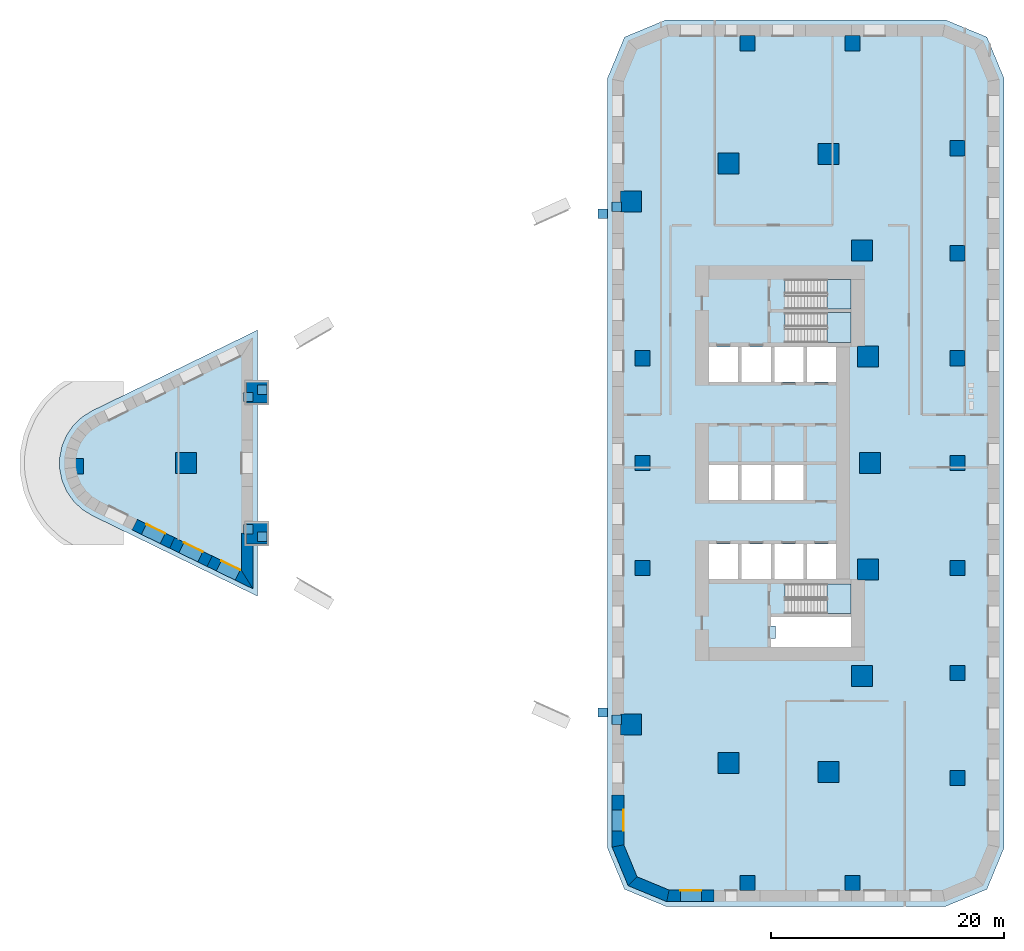
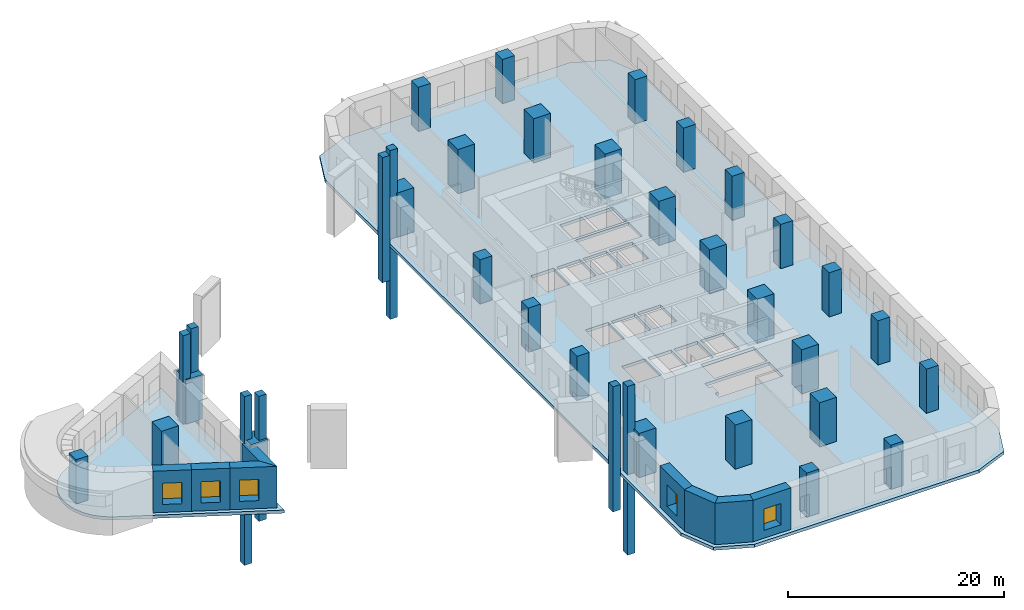
# One storey, part 1 of 11: 29 columns, 8 members, 8 walls, 5 slabs, 5 windows, 6 openings, 3 elements without a shape of their own.
"""IFC4 building model written with IfcOpenShell, lengths in metres."""

from ifc_helpers import new_model, si_unit, direction, frame, frame_2d, origin, origin_2d, place, context, subcontext, project, spatial, polyline, rectangle, outline, extrude, material, layer, layer_set, material_profile, profile_set, type_object, element, fill, aggregate, save


model = new_model("IFC4")

# Units and contexts
model_context = context("Model", 3, precision=1e-05, world=origin(), true_north=direction((0.0, 1.0)))
body_context = subcontext(model_context, "Body", "Model", "MODEL_VIEW")
ifc_project = project(units=[si_unit("LENGTHUNIT", "METRE"), si_unit("AREAUNIT", "SQUARE_METRE"), si_unit("VOLUMEUNIT", "CUBIC_METRE"), si_unit("PLANEANGLEUNIT", "RADIAN"), si_unit("MASSUNIT", "GRAM", prefix="KILO")], contexts=[model_context])

# Site, building, storey
site_placement = place(None, origin())
site = spatial("IfcSite", under=ifc_project, at=site_placement, CompositionType="ELEMENT")
building_placement = place(site_placement, origin())
building = spatial("IfcBuilding", under=site, at=building_placement, Name="Ostrand Prow Hotel Tower", CompositionType="ELEMENT")
storey_placement = place(building_placement, frame((0.0, 0.0, 19.0)))
storey = spatial("IfcBuildingStorey", under=building, at=storey_placement, Name="L03", CompositionType="ELEMENT", Elevation=19.0)

# Columns
ifc_material_1 = material(Name="Concrete C60/75", Category="concrete")
ifc_material_profile_1 = material_profile(ifc_material_1, rectangle(XDim=1.300048828125, YDim=1.300048828125, at=origin_2d()), Name="RC 1300x1300")
ifc_profile_set_1 = profile_set([ifc_material_profile_1], Name="Concrete C60/75")
column_type_1 = type_object("IfcColumnType", Name="Interior column 1300x1300 C60/75", PredefinedType="COLUMN", material=ifc_profile_set_1)
for number, where, z_axis, x_axis, name in (
    (1, (-3.573974609375, -0.262939453125, 0.0), (0.0, 0.0, 1.0), (1.0, 0.0, 0.0), "Interior column W4S0"),
    (2, (45.0, -9.0, 0.0), (0.0, 0.0, 1.0), (1.0, 0.0, 0.0), "Interior column 45S9"),
    (3, (45.0, 0.0, 0.0), (0.0, 0.0, 1.0), (1.0, 0.0, 0.0), "Interior column 45C0"),
    (4, (45.0, 9.0, 0.0), (0.0, 0.0, 1.0), (1.0, 0.0, 0.0), "Interior column 45N9"),
    (5, (54.0, -36.0, 0.0), (0.0, 0.0, 1.0), (1.0, 0.0, 0.0), "Interior column 54S36"),
    (6, (54.0, 36.0, 0.0), (0.0, 0.0, 1.0), (1.0, 0.0, 0.0), "Interior column 54N36"),
    (7, (63.0, -36.0, 0.0), (0.0, 0.0, 1.0), (1.0, 0.0, 0.0), "Interior column 63S36"),
    (8, (63.0, 36.0, 0.0), (0.0, 0.0, 1.0), (1.0, 0.0, 0.0), "Interior column 63N36"),
    (9, (72.0, -27.0, 0.0), (0.0, 0.0, 1.0), (1.0, 0.0, 0.0), "Interior column 72S27"),
    (10, (72.0, -18.0, 0.0), (0.0, 0.0, 1.0), (1.0, 0.0, 0.0), "Interior column 72S18"),
    (11, (72.0, -9.0, 0.0), (0.0, 0.0, 1.0), (1.0, 0.0, 0.0), "Interior column 72S9"),
    (12, (72.0, 0.0, 0.0), (0.0, 0.0, 1.0), (1.0, 0.0, 0.0), "Interior column 72C0"),
    (13, (72.0, 9.0, 0.0), (0.0, 0.0, 1.0), (1.0, 0.0, 0.0), "Interior column 72N9"),
    (14, (72.0, 18.0, 0.0), (0.0, 0.0, 1.0), (1.0, 0.0, 0.0), "Interior column 72N18"),
    (15, (72.0, 27.0, 0.0), (0.0, 0.0, 1.0), (1.0, 0.0, 0.0), "Interior column 72N27"),
):
    element("IfcColumn", number, at=place(storey_placement, frame(where, z_axis=z_axis, x_axis=x_axis)), inside=storey, type_object=column_type_1, Name=name, PredefinedType="COLUMN", context=body_context, shape_type="SweptSolid", body=[
        extrude(rectangle(XDim=1.300048828125, YDim=1.300048828125, at=origin_2d()), origin(), (0.0, 0.0, 1.0), 5.0),
    ])
ifc_material_2 = material(Name="Concrete C60/75", Category="concrete")
ifc_material_profile_2 = material_profile(ifc_material_2, rectangle(XDim=1.800048828125, YDim=1.800048828125, at=origin_2d()), Name="RC 1800x1800")
ifc_profile_set_2 = profile_set([ifc_material_profile_2], Name="Concrete C60/75")
column_type_2 = type_object("IfcColumnType", Name="Stone-faced mega column 1800x1800 C60/75", PredefinedType="COLUMN", material=ifc_profile_set_2)
for number, where, z_axis, x_axis, name in (
    (16, (5.848388671875, 0.0, 0.0), (0.0, 0.0, 1.0), (1.0, 0.0, 0.0), "Mega column P"),
    (17, (11.926513671875, -6.0419921875, 0.0), (0.0, 0.0, 1.0), (1.0, 0.0, 0.0), "Mega column S1"),
    (18, (43.997802734375, -22.427978515625, 0.0), (0.0, 0.0, 1.0), (1.0, 0.0, 0.0), "Mega column S5"),
    (19, (52.3916015625, -25.710205078125, 0.0), (0.0, 0.0, 1.0), (1.0, 0.0, 0.0), "Mega column S6"),
    (20, (60.966064453125, -26.49853515625, 0.0), (0.0, 0.0, 1.0), (1.0, 0.0, 0.0), "Mega column SE"),
    (21, (63.8134765625, -18.248779296875, 0.0), (0.0, 0.0, 1.0), (1.0, 0.0, 0.0), "Mega column B1"),
    (22, (64.328369140625, -9.130859375, 0.0), (0.0, 0.0, 1.0), (1.0, 0.0, 0.0), "Mega column B2"),
    (23, (64.5, 0.0, 0.0), (0.0, 0.0, 1.0), (1.0, 0.0, 0.0), "Mega column B3"),
    (24, (64.328369140625, 9.130859375, 0.0), (0.0, 0.0, 1.0), (1.0, 0.0, 0.0), "Mega column B4"),
    (25, (63.8134765625, 18.248779296875, 0.0), (0.0, 0.0, 1.0), (1.0, 0.0, 0.0), "Mega column B5"),
    (26, (60.966064453125, 26.49853515625, 0.0), (0.0, 0.0, 1.0), (1.0, 0.0, 0.0), "Mega column NE"),
    (27, (52.3916015625, 25.710205078125, 0.0), (0.0, 0.0, 1.0), (1.0, 0.0, 0.0), "Mega column N1"),
    (28, (43.997802734375, 22.427978515625, 0.0), (0.0, 0.0, 1.0), (1.0, 0.0, 0.0), "Mega column N2"),
    (29, (11.926513671875, 6.0419921875, 0.0), (0.0, 0.0, 1.0), (1.0, 0.0, 0.0), "Mega column N6"),
):
    element("IfcColumn", number, at=place(storey_placement, frame(where, z_axis=z_axis, x_axis=x_axis)), inside=storey, type_object=column_type_2, Name=name, PredefinedType="COLUMN", context=body_context, shape_type="SweptSolid", body=[
        extrude(rectangle(XDim=1.800048828125, YDim=1.800048828125, at=origin_2d()), origin(), (0.0, 0.0, 1.0), 5.0),
    ])

# Members
ifc_material_3 = material(Name="Concrete C80/95", Category="concrete")
ifc_material_profile_3 = material_profile(ifc_material_3, rectangle(XDim=0.800048828125, YDim=0.800048828125, at=origin_2d()), Name="RC 800x800")
ifc_profile_set_3 = profile_set([ifc_material_profile_3], Name="Concrete C80/95")
member_type = type_object("IfcMemberType", Name="Rib strut 800x800 C80/95", PredefinedType="POST", material=ifc_profile_set_3)
member_1_placement = place(storey_placement, frame((11.206298828125, -5.67724609375, -9.10400390625), z_axis=(0.0, 0.0, 1.0), x_axis=(1.0, 0.0, 0.0)))
element("IfcMember", 30, at=member_1_placement, inside=storey, type_object=member_type, Name="Rib strut S02", PredefinedType="POST", context=body_context, shape_type="SweptSolid", body=[
    extrude(rectangle(XDim=0.800048828125, YDim=0.800048828125, at=origin_2d()), origin(), (0.0, 0.0, 1.0), 19.10400390625),
])
for number, where, z_axis, x_axis, name in (
    (31, (12.404296875, -6.29638671875, -4.168701171875), (0.0, 0.0, 1.0), (1.0, 0.0, 0.0), "Rib strut S03"),
    (32, (41.595703125, -21.380615234375, -4.168701171875), (0.0, 0.0, 1.0), (1.0, 0.0, 0.0), "Rib strut S13"),
):
    element("IfcMember", number, at=place(storey_placement, frame(where, z_axis=z_axis, x_axis=x_axis)), inside=storey, type_object=member_type, Name=name, PredefinedType="POST", context=body_context, shape_type="SweptSolid", body=[
        extrude(rectangle(XDim=0.800048828125, YDim=0.800048828125, at=origin_2d()), origin(), (0.0, 0.0, 1.0), 14.168701171875),
    ])
for number, where, z_axis, x_axis, name in (
    (33, (42.793701171875, -21.99951171875, -9.10400390625), (0.0, 0.0, 1.0), (1.0, 0.0, 0.0), "Rib strut S14"),
    (34, (11.206298828125, 5.67724609375, -9.10400390625), (0.0, 0.0, 1.0), (1.0, 0.0, 0.0), "Rib strut N02"),
):
    element("IfcMember", number, at=place(storey_placement, frame(where, z_axis=z_axis, x_axis=x_axis)), inside=storey, type_object=member_type, Name=name, PredefinedType="POST", context=body_context, shape_type="SweptSolid", body=[
        extrude(rectangle(XDim=0.800048828125, YDim=0.800048828125, at=origin_2d()), origin(), (0.0, 0.0, 1.0), 19.10400390625),
    ])
for number, where, z_axis, x_axis, name in (
    (35, (12.404296875, 6.29638671875, -4.168701171875), (0.0, 0.0, 1.0), (1.0, 0.0, 0.0), "Rib strut N03"),
    (36, (41.595703125, 21.380615234375, -4.168701171875), (0.0, 0.0, 1.0), (1.0, 0.0, 0.0), "Rib strut N13"),
):
    element("IfcMember", number, at=place(storey_placement, frame(where, z_axis=z_axis, x_axis=x_axis)), inside=storey, type_object=member_type, Name=name, PredefinedType="POST", context=body_context, shape_type="SweptSolid", body=[
        extrude(rectangle(XDim=0.800048828125, YDim=0.800048828125, at=origin_2d()), origin(), (0.0, 0.0, 1.0), 14.168701171875),
    ])
member_2_placement = place(storey_placement, frame((42.793701171875, 21.99951171875, -9.10400390625), z_axis=(0.0, 0.0, 1.0), x_axis=(1.0, 0.0, 0.0)))
element("IfcMember", 37, at=member_2_placement, inside=storey, type_object=member_type, Name="Rib strut N14", PredefinedType="POST", context=body_context, shape_type="SweptSolid", body=[
    extrude(rectangle(XDim=0.800048828125, YDim=0.800048828125, at=origin_2d()), origin(), (0.0, 0.0, 1.0), 19.10400390625),
])

# Slab
ifc_material_4 = material(Name="Concrete C40/50", Category="concrete")
ifc_layer_1 = layer(ifc_material_4, 0.35009765625)
ifc_layer_set_1 = layer_set([ifc_layer_1], Name="Concrete C40/50")
slab_type_1 = type_object("IfcSlabType", Name="PT flat plate 350 C40/50", PredefinedType="FLOOR", material=ifc_layer_set_1)
slab_1_placement = place(storey_placement, frame((0.0, 0.0, -0.35009765625)))
element("IfcSlab", 38, at=slab_1_placement, inside=storey, type_object=slab_type_1, Name="Floor slab L03-1", PredefinedType="FLOOR", context=body_context, shape_type="SweptSolid", body=[
    extrude(outline(polyline([(12.0, -11.41259765625), (-2.19091796875, -4.494384765625), (-3.052490234375, -3.9599609375), (-3.788818359375, -3.2626953125), (-4.368896484375, -2.431396484375), (-4.769775390625, -1.5), (-4.97412109375, -0.5068359375), (-4.97412109375, 0.5068359375), (-4.769775390625, 1.5), (-4.368896484375, 2.431396484375), (-3.788818359375, 3.2626953125), (-3.052490234375, 3.9599609375), (-2.19091796875, 4.494384765625), (12.0, 11.41259765625), (12.0, -11.41259765625)])), origin(), (0.0, 0.0, 1.0), 0.35009765625),
])

# Slab, opening
slab_2_placement = place(storey_placement, frame((0.0, 0.0, -0.35009765625)))
slab_2 = element("IfcSlab", 39, at=slab_2_placement, inside=storey, type_object=slab_type_1, Name="Floor slab L03-2", PredefinedType="FLOOR", context=body_context, shape_type="SweptSolid", body=[
    extrude(outline(polyline([(47.0, -38.0), (43.464599609375, -36.535400390625), (42.0, -33.0), (42.0, 33.0), (43.464599609375, 36.535400390625), (47.0, 38.0), (71.0, 38.0), (74.535400390625, 36.535400390625), (76.0, 33.0), (76.0, -33.0), (74.535400390625, -36.535400390625), (71.0, -38.0), (47.0, -38.0)]), holes=[polyline([(50.699951171875, 6.949951171875), (53.199951171875, 6.949951171875), (53.199951171875, 9.949951171875), (50.699951171875, 9.949951171875), (50.699951171875, 6.949951171875)]), polyline([(53.5, 6.949951171875), (56.0, 6.949951171875), (56.0, 9.949951171875), (53.5, 9.949951171875), (53.5, 6.949951171875)]), polyline([(56.300048828125, 6.949951171875), (58.800048828125, 6.949951171875), (58.800048828125, 9.949951171875), (56.300048828125, 9.949951171875), (56.300048828125, 6.949951171875)]), polyline([(59.10009765625, 6.949951171875), (61.60009765625, 6.949951171875), (61.60009765625, 9.949951171875), (59.10009765625, 9.949951171875), (59.10009765625, 6.949951171875)]), polyline([(50.699951171875, -3.14990234375), (53.199951171875, -3.14990234375), (53.199951171875, -0.14990234375), (50.699951171875, -0.14990234375), (50.699951171875, -3.14990234375)]), polyline([(53.5, -3.14990234375), (56.0, -3.14990234375), (56.0, -0.14990234375), (53.5, -0.14990234375), (53.5, -3.14990234375)]), polyline([(56.300048828125, -3.14990234375), (58.800048828125, -3.14990234375), (58.800048828125, -0.14990234375), (56.300048828125, -0.14990234375), (56.300048828125, -3.14990234375)]), polyline([(50.699951171875, -9.949951171875), (53.199951171875, -9.949951171875), (53.199951171875, -6.949951171875), (50.699951171875, -6.949951171875), (50.699951171875, -9.949951171875)]), polyline([(53.5, -9.949951171875), (56.0, -9.949951171875), (56.0, -6.949951171875), (53.5, -6.949951171875), (53.5, -9.949951171875)]), polyline([(56.300048828125, -9.949951171875), (58.800048828125, -9.949951171875), (58.800048828125, -6.949951171875), (56.300048828125, -6.949951171875), (56.300048828125, -9.949951171875)]), polyline([(59.10009765625, -9.949951171875), (61.60009765625, -9.949951171875), (61.60009765625, -6.949951171875), (59.10009765625, -6.949951171875), (59.10009765625, -9.949951171875)]), polyline([(57.200927734375, 10.35107421875), (57.200927734375, 12.89892578125), (62.87890625, 12.89892578125), (62.87890625, 10.35107421875), (57.200927734375, 10.35107421875)]), polyline([(57.200927734375, 13.200927734375), (57.200927734375, 15.7490234375), (62.87890625, 15.7490234375), (62.87890625, 13.200927734375), (57.200927734375, 13.200927734375)]), polyline([(57.200927734375, -12.89892578125), (57.200927734375, -10.35107421875), (62.87890625, -10.35107421875), (62.87890625, -12.89892578125), (57.200927734375, -12.89892578125)]), polyline([(56.0, -13.199951171875), (62.8798828125, -13.199951171875), (62.8798828125, -15.75), (56.0, -15.75), (56.0, -15.050048828125), (56.39990234375, -15.050048828125), (56.39990234375, -13.949951171875), (56.0, -13.949951171875), (56.0, -13.199951171875)])]), origin(), (0.0, 0.0, 1.0), 0.35009765625),
])
opening_1_placement = place(slab_2_placement, origin())
element("IfcOpeningElement", 40, at=opening_1_placement, cuts=slab_2, Name="Shaft opening 1", PredefinedType="OPENING", context=body_context, shape_type="SweptSolid", body=[
    extrude(outline(polyline([(56.0, -13.199951171875), (62.8798828125, -13.199951171875), (62.8798828125, -15.75), (56.0, -15.75), (56.0, -15.050048828125), (56.39990234375, -15.050048828125), (56.39990234375, -13.949951171875), (56.0, -13.949951171875), (56.0, -13.199951171875)])), origin(), (0.0, 0.0, 1.0), 0.35009765625),
])

# Stair, slab
ifc_material_5 = material(Name="Concrete C40/50", Category="concrete")
stair_type = type_object("IfcStairType", Name="Exit stair 1200 middle zone", PredefinedType="HALF_TURN_STAIR", material=ifc_material_5)
stair_1_placement = place(storey_placement, origin())
stair_1 = element("IfcStair", 41, at=stair_1_placement, inside=storey, type_object=stair_type, Name="L03 ST1B", PredefinedType="HALF_TURN_STAIR")
ifc_material_6 = material(Name="Concrete C40/50", Category="concrete")
ifc_layer_2 = layer(ifc_material_6, 0.199951171875)
ifc_layer_set_2 = layer_set([ifc_layer_2], Name="Concrete C40/50")
slab_type_2 = type_object("IfcSlabType", Name="Stair landing 200 concrete", PredefinedType="LANDING", material=ifc_layer_set_2)
slab_3_placement = place(storey_placement, frame((0.0, 0.0, 2.300048828125)))
slab_3 = element("IfcSlab", 42, at=slab_3_placement, type_object=slab_type_2, Name="ST1B landing 1", PredefinedType="LANDING", context=body_context, shape_type="SweptSolid", body=[
    extrude(outline(polyline([(60.840087890625, 10.35009765625), (62.8798828125, 10.35009765625), (62.8798828125, 12.89990234375), (60.840087890625, 12.89990234375), (60.840087890625, 10.35009765625)])), origin(), (0.0, 0.0, 1.0), 0.199951171875),
])
aggregate(stair_1, [slab_3])

stair_2_placement = place(storey_placement, origin())
stair_2 = element("IfcStair", 43, at=stair_2_placement, inside=storey, type_object=stair_type, Name="L03 ST3B", PredefinedType="HALF_TURN_STAIR")
slab_4_placement = place(storey_placement, frame((0.0, 0.0, 2.300048828125)))
slab_4 = element("IfcSlab", 44, at=slab_4_placement, type_object=slab_type_2, Name="ST3B landing 1", PredefinedType="LANDING", context=body_context, shape_type="SweptSolid", body=[
    extrude(outline(polyline([(60.840087890625, 13.199951171875), (62.8798828125, 13.199951171875), (62.8798828125, 15.75), (60.840087890625, 15.75), (60.840087890625, 13.199951171875)])), origin(), (0.0, 0.0, 1.0), 0.199951171875),
])
aggregate(stair_2, [slab_4])

stair_3_placement = place(storey_placement, origin())
stair_3 = element("IfcStair", 45, at=stair_3_placement, inside=storey, type_object=stair_type, Name="L03 ST2B", PredefinedType="HALF_TURN_STAIR")
slab_5_placement = place(storey_placement, frame((0.0, 0.0, 2.300048828125)))
slab_5 = element("IfcSlab", 46, at=slab_5_placement, type_object=slab_type_2, Name="ST2B landing 1", PredefinedType="LANDING", context=body_context, shape_type="SweptSolid", body=[
    extrude(outline(polyline([(60.840087890625, -12.89990234375), (62.8798828125, -12.89990234375), (62.8798828125, -10.35009765625), (60.840087890625, -10.35009765625), (60.840087890625, -12.89990234375)])), origin(), (0.0, 0.0, 1.0), 0.199951171875),
])
aggregate(stair_3, [slab_5])

# Wall
ifc_material_7 = material(Name="Precast concrete C40/50", Category="concrete")
ifc_layer_3 = layer(ifc_material_7, 1.0)
ifc_layer_set_3 = layer_set([ifc_layer_3], Name="Precast concrete C40/50")
wall_type = type_object("IfcWallType", Name="Portal pier wall 1000 mm", PredefinedType="NOTDEFINED", material=ifc_layer_set_3)
wall_1_placement = place(storey_placement, frame((11.10009765625, -9.972412109375, 0.0), z_axis=(0.0, 0.0, 1.0), x_axis=(0.0, 1.0, 0.0)))
element("IfcWall", 47, at=wall_1_placement, inside=storey, type_object=wall_type, Name="Portal pier wall L03-PP000", PredefinedType="NOTDEFINED", context=body_context, shape_type="SweptSolid", body=[
    extrude(outline(polyline([(-0.800048828125, -0.5), (3.989013671875, -0.5), (3.989013671875, 0.5), (0.800048828125, 0.5), (-0.800048828125, -0.5)])), origin(), (0.0, 0.0, 1.0), 4.699951171875),
])

# Wall, opening, window
wall_2_placement = place(storey_placement, frame((1.45849609375, -5.272216796875, 0.0), z_axis=(0.0, 0.0, 1.0), x_axis=(0.898848496883, -0.438259488946, 0.0)))
wall_2 = element("IfcWall", 48, at=wall_2_placement, inside=storey, type_object=wall_type, Name="Portal pier wall L03-PP021", PredefinedType="NOTDEFINED", context=body_context, shape_type="SweptSolid", body=[
    extrude(outline(polyline([(0.0, -0.5), (3.5751953125, -0.5), (3.5751953125, 0.5), (0.0, 0.5), (0.0, -0.5)])), origin(), (0.0, 0.0, 1.0), 4.699951171875),
])
opening_2_placement = place(wall_2_placement, frame((0.8876953125, 0.0, 0.89990234375)))
opening_2 = element("IfcOpeningElement", 49, at=opening_2_placement, cuts=wall_2, Name="Opening WP2", PredefinedType="OPENING", context=body_context, shape_type="SweptSolid", body=[
    extrude(rectangle(XDim=1.800048828125, YDim=2.39990234375, at=frame_2d((0.89990234375, 1.199951171875))), frame((0.0, 0.510009765625, 0.0), z_axis=(0.0, -1.0, 0.0), x_axis=(1.0, 0.0, 0.0)), (0.0, 0.0, 1.0), 1.02001953125),
])
ifc_material_8 = material(Name="Insulated glass in bronze anodised frame", Category="glass")
window_type = type_object("IfcWindowType", Name="Portal window 1800x2400", PartitioningType="SINGLE_PANEL", PredefinedType="WINDOW", material=ifc_material_8)
window_1_placement = place(opening_2_placement, origin())
window_1 = element("IfcWindow", 50, at=window_1_placement, inside=storey, type_object=window_type, Name="Portal window L03-PP021", OverallHeight=2.39990234375, OverallWidth=1.800048828125, PartitioningType="SINGLE_PANEL", PredefinedType="WINDOW", context=body_context, shape_type="SweptSolid", body=[
    extrude(rectangle(XDim=1.800048828125, YDim=2.39990234375, at=frame_2d((0.89990234375, 1.199951171875))), frame((0.0, 0.5, 0.0), z_axis=(0.0, -1.0, 0.0), x_axis=(1.0, 0.0, 0.0)), (0.0, 0.0, 1.0), 0.06005859375),
])
fill(opening_2, window_1)

wall_3_placement = place(storey_placement, frame((4.672119140625, -6.839111328125, 0.0), z_axis=(0.0, 0.0, 1.0), x_axis=(0.898888507486, -0.43817741967, 0.0)))
wall_3 = element("IfcWall", 51, at=wall_3_placement, inside=storey, type_object=wall_type, Name="Portal pier wall L03-PP022", PredefinedType="NOTDEFINED", context=body_context, shape_type="SweptSolid", body=[
    extrude(outline(polyline([(0.0, -0.5), (3.575439453125, -0.5), (3.575439453125, 0.5), (0.0, 0.5), (0.0, -0.5)])), origin(), (0.0, 0.0, 1.0), 4.699951171875),
])
opening_3_placement = place(wall_3_placement, frame((0.8876953125, 0.0, 0.89990234375)))
opening_3 = element("IfcOpeningElement", 52, at=opening_3_placement, cuts=wall_3, Name="Opening WP2", PredefinedType="OPENING", context=body_context, shape_type="SweptSolid", body=[
    extrude(rectangle(XDim=1.800048828125, YDim=2.39990234375, at=frame_2d((0.89990234375, 1.199951171875))), frame((0.0, 0.510009765625, 0.0), z_axis=(0.0, -1.0, 0.0), x_axis=(1.0, 0.0, 0.0)), (0.0, 0.0, 1.0), 1.02001953125),
])
window_2_placement = place(opening_3_placement, origin())
window_2 = element("IfcWindow", 53, at=window_2_placement, inside=storey, type_object=window_type, Name="Portal window L03-PP022", OverallHeight=2.39990234375, OverallWidth=1.800048828125, PartitioningType="SINGLE_PANEL", PredefinedType="WINDOW", context=body_context, shape_type="SweptSolid", body=[
    extrude(rectangle(XDim=1.800048828125, YDim=2.39990234375, at=frame_2d((0.89990234375, 1.199951171875))), frame((0.0, 0.5, 0.0), z_axis=(0.0, -1.0, 0.0), x_axis=(1.0, 0.0, 0.0)), (0.0, 0.0, 1.0), 0.06005859375),
])
fill(opening_3, window_2)

wall_4_placement = place(storey_placement, frame((7.885986328125, -8.40576171875, 0.0), z_axis=(0.0, 0.0, 1.0), x_axis=(0.89890161674, -0.438150525987, 0.0)))
wall_4 = element("IfcWall", 54, at=wall_4_placement, inside=storey, type_object=wall_type, Name="Portal pier wall L03-PP023", PredefinedType="NOTDEFINED", context=body_context, shape_type="SweptSolid", body=[
    extrude(outline(polyline([(0.0, -0.5), (4.375732421875, -0.5), (2.775634765625, 0.5), (0.0, 0.5), (0.0, -0.5)])), origin(), (0.0, 0.0, 1.0), 4.699951171875),
])
opening_4_placement = place(wall_4_placement, frame((0.8876953125, 0.0, 0.89990234375)))
opening_4 = element("IfcOpeningElement", 55, at=opening_4_placement, cuts=wall_4, Name="Opening WP2", PredefinedType="OPENING", context=body_context, shape_type="SweptSolid", body=[
    extrude(rectangle(XDim=1.800048828125, YDim=2.39990234375, at=frame_2d((0.89990234375, 1.199951171875))), frame((0.0, 0.510009765625, 0.0), z_axis=(0.0, -1.0, 0.0), x_axis=(1.0, 0.0, 0.0)), (0.0, 0.0, 1.0), 1.02001953125),
])
window_3_placement = place(opening_4_placement, origin())
window_3 = element("IfcWindow", 56, at=window_3_placement, inside=storey, type_object=window_type, Name="Portal window L03-PP023", OverallHeight=2.39990234375, OverallWidth=1.800048828125, PartitioningType="SINGLE_PANEL", PredefinedType="WINDOW", context=body_context, shape_type="SweptSolid", body=[
    extrude(rectangle(XDim=1.800048828125, YDim=2.39990234375, at=frame_2d((0.89990234375, 1.199951171875))), frame((0.0, 0.5, 0.0), z_axis=(0.0, -1.0, 0.0), x_axis=(1.0, 0.0, 0.0)), (0.0, 0.0, 1.0), 0.06005859375),
])
fill(opening_4, window_3)

wall_5_placement = place(storey_placement, frame((47.178955078125, -37.10009765625, 0.0), z_axis=(0.0, 0.0, 1.0), x_axis=(1.0, 0.0, 0.0)))
wall_5 = element("IfcWall", 57, at=wall_5_placement, inside=storey, type_object=wall_type, Name="Portal pier wall L03-PP100", PredefinedType="NOTDEFINED", context=body_context, shape_type="SweptSolid", body=[
    extrude(outline(polyline([(-0.099609375, -0.5), (3.9404296875, -0.5), (3.9404296875, 0.5), (0.099609375, 0.5), (-0.099609375, -0.5)])), origin(), (0.0, 0.0, 1.0), 4.699951171875),
])
opening_5_placement = place(wall_5_placement, frame((1.0703125, 0.0, 0.89990234375)))
opening_5 = element("IfcOpeningElement", 58, at=opening_5_placement, cuts=wall_5, Name="Opening WP2", PredefinedType="OPENING", context=body_context, shape_type="SweptSolid", body=[
    extrude(rectangle(XDim=1.800048828125, YDim=2.39990234375, at=frame_2d((0.89990234375, 1.199951171875))), frame((0.0, 0.510009765625, 0.0), z_axis=(0.0, -1.0, 0.0), x_axis=(1.0, 0.0, 0.0)), (0.0, 0.0, 1.0), 1.02001953125),
])
window_4_placement = place(opening_5_placement, origin())
window_4 = element("IfcWindow", 59, at=window_4_placement, inside=storey, type_object=window_type, Name="Portal window L03-PP100", OverallHeight=2.39990234375, OverallWidth=1.800048828125, PartitioningType="SINGLE_PANEL", PredefinedType="WINDOW", context=body_context, shape_type="SweptSolid", body=[
    extrude(rectangle(XDim=1.800048828125, YDim=2.39990234375, at=frame_2d((0.89990234375, 1.199951171875))), frame((0.0, 0.5, 0.0), z_axis=(0.0, -1.0, 0.0), x_axis=(1.0, 0.0, 0.0)), (0.0, 0.0, 1.0), 0.06005859375),
])
fill(opening_5, window_4)

wall_6_placement = place(storey_placement, frame((42.89990234375, -28.44482421875, 0.0), z_axis=(0.0, 0.0, 1.0), x_axis=(0.0, -1.0, 0.0)))
wall_6 = element("IfcWall", 60, at=wall_6_placement, inside=storey, type_object=wall_type, Name="Portal pier wall L03-PP147", PredefinedType="NOTDEFINED", context=body_context, shape_type="SweptSolid", body=[
    extrude(outline(polyline([(0.0, -0.5), (4.475830078125, -0.5), (4.276611328125, 0.5), (0.0, 0.5), (0.0, -0.5)])), origin(), (0.0, 0.0, 1.0), 4.699951171875),
])
opening_6_placement = place(wall_6_placement, frame((1.2880859375, 0.0, 0.89990234375)))
opening_6 = element("IfcOpeningElement", 61, at=opening_6_placement, cuts=wall_6, Name="Opening WP2", PredefinedType="OPENING", context=body_context, shape_type="SweptSolid", body=[
    extrude(rectangle(XDim=1.800048828125, YDim=2.39990234375, at=frame_2d((0.89990234375, 1.199951171875))), frame((0.0, 0.510009765625, 0.0), z_axis=(0.0, -1.0, 0.0), x_axis=(1.0, 0.0, 0.0)), (0.0, 0.0, 1.0), 1.02001953125),
])
window_5_placement = place(opening_6_placement, origin())
window_5 = element("IfcWindow", 62, at=window_5_placement, inside=storey, type_object=window_type, Name="Portal window L03-PP147", OverallHeight=2.39990234375, OverallWidth=1.800048828125, PartitioningType="SINGLE_PANEL", PredefinedType="WINDOW", context=body_context, shape_type="SweptSolid", body=[
    extrude(rectangle(XDim=1.800048828125, YDim=2.39990234375, at=frame_2d((0.89990234375, 1.199951171875))), frame((0.0, 0.5, 0.0), z_axis=(0.0, -1.0, 0.0), x_axis=(1.0, 0.0, 0.0)), (0.0, 0.0, 1.0), 0.06005859375),
])
fill(opening_6, window_5)

# Walls
wall_7_placement = place(storey_placement, frame((42.89990234375, -32.821044921875, 0.0), z_axis=(0.0, 0.0, 1.0), x_axis=(0.382724875529, -0.923862365102, 0.0)))
element("IfcWall", 63, at=wall_7_placement, inside=storey, type_object=wall_type, Name="Portal pier wall L03-PP148", PredefinedType="NOTDEFINED", context=body_context, shape_type="SweptSolid", body=[
    extrude(outline(polyline([(-0.099609375, -0.5), (3.48193359375, -0.5), (3.06787109375, 0.5), (0.099609375, 0.5), (-0.099609375, -0.5)])), origin(), (0.0, 0.0, 1.0), 4.699951171875),
])
wall_8_placement = place(storey_placement, frame((44.1533203125, -35.8466796875, 0.0), z_axis=(0.0, 0.0, 1.0), x_axis=(0.923862365102, -0.382724875529, 0.0)))
element("IfcWall", 64, at=wall_8_placement, inside=storey, type_object=wall_type, Name="Portal pier wall L03-PP149", PredefinedType="NOTDEFINED", context=body_context, shape_type="SweptSolid", body=[
    extrude(outline(polyline([(-0.20703125, -0.5), (3.37451171875, -0.5), (3.17529296875, 0.5), (0.20703125, 0.5), (-0.20703125, -0.5)])), origin(), (0.0, 0.0, 1.0), 4.699951171875),
])

save(model, "model.ifc")
